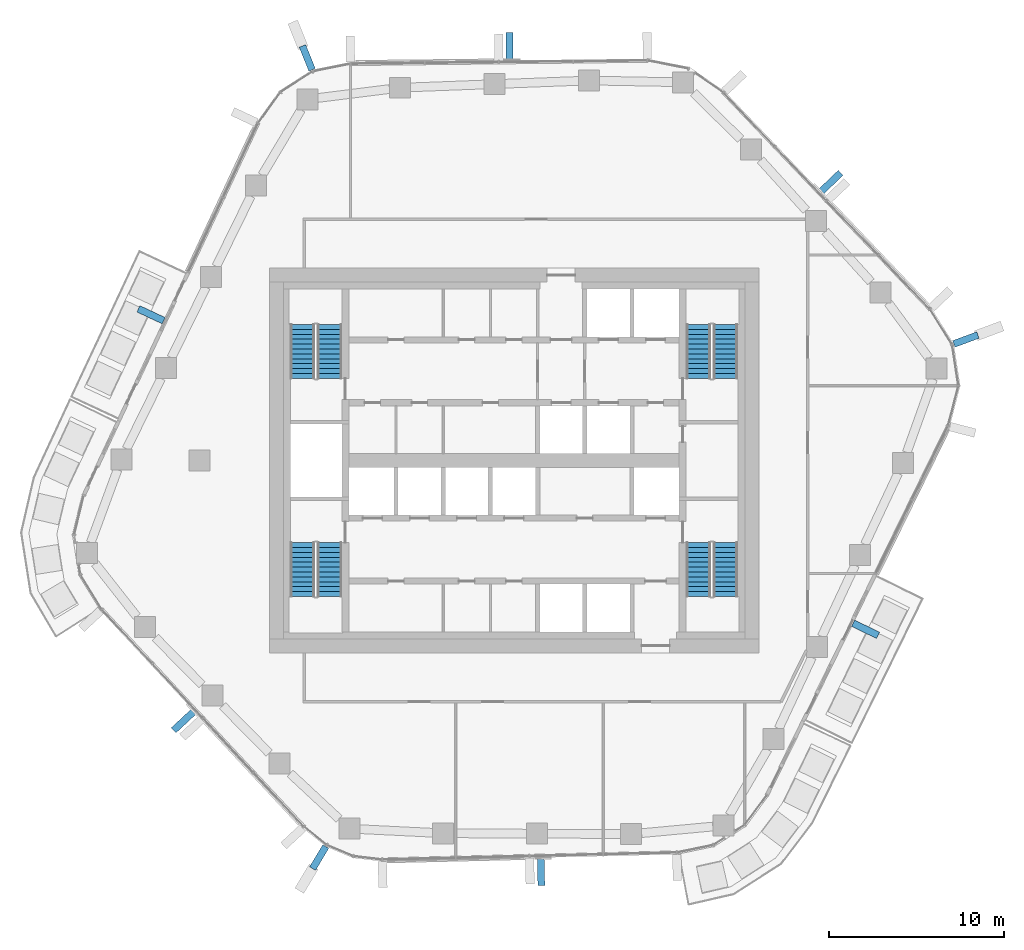
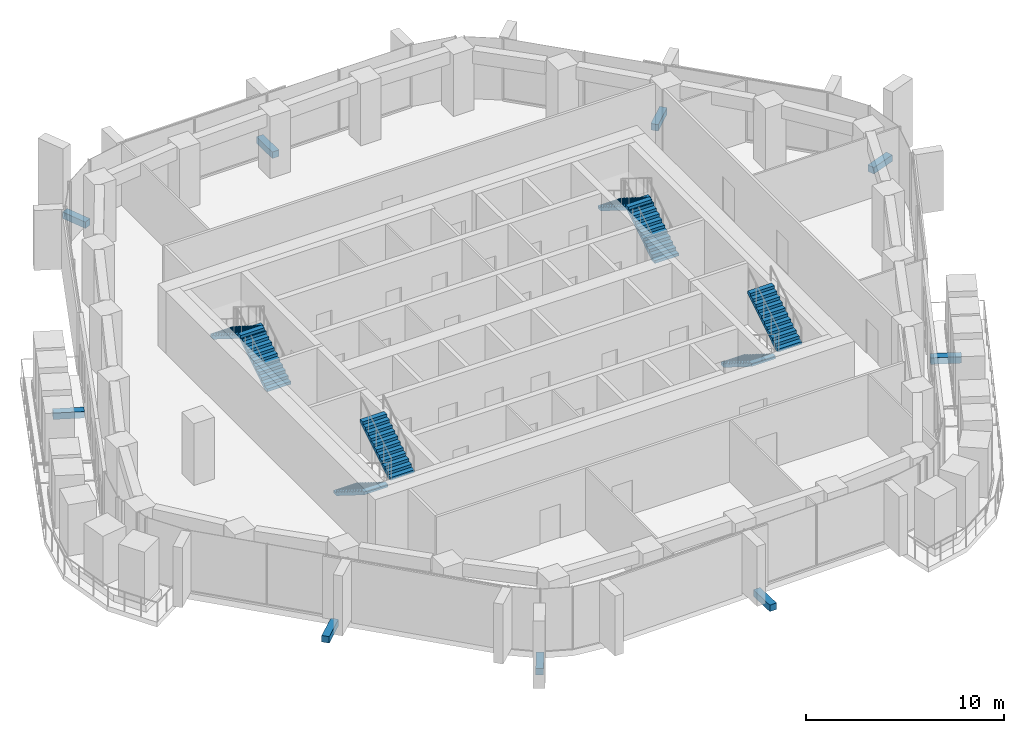
# One storey, part 13 of 17: 9 discrete accessories, 8 stair flights, 4 elements without a shape of their own.
"""IFC4 building model written with IfcOpenShell, lengths in metres."""

import ifcopenshell
import ifcopenshell.guid

model = None  # the IFC model being written
_history = None  # IfcOwnerHistory: only IFC2X3 demands one
_inside = {}  # id of a spatial element -> (the spatial element, [elements in it])
_under = {}  # id of a project, library or spatial element -> (it, [spatial elements below it])
_declared = {}  # id of a project -> (the project, [libraries it declares])
_typed = {}  # id of a type object -> (the type object, [elements of that type])
_made_of = {}  # id of a material, layer set ... -> (it, [elements and type objects made of it])


def new_model(schema):
    """Start an empty IFC model of exactly this schema.

    Asked for "IFC4X3", IfcOpenShell would pick the latest addendum, in which some entities
    have other attributes; the version numbers below select the first issue.
    IFC2X3 requires an IfcOwnerHistory on every rooted entity: one is made here for all.
    """
    global model, _history
    if schema == "IFC4X3":
        model = ifcopenshell.file(schema_version=(4, 3, 0, 0))
    else:
        model = ifcopenshell.file(schema=schema)
    _inside.clear()
    _under.clear()
    _declared.clear()
    _typed.clear()
    _made_of.clear()
    _history = None
    if model.schema == "IFC2X3":
        org = make("IfcOrganization", Name="unknown")
        user = make(
            "IfcPersonAndOrganization",
            ThePerson=make("IfcPerson", FamilyName="unknown"),
            TheOrganization=org,
        )
        app = make(
            "IfcApplication",
            ApplicationDeveloper=org,
            Version="unknown",
            ApplicationFullName="unknown",
            ApplicationIdentifier="unknown",
        )
        _history = make(
            "IfcOwnerHistory",
            OwningUser=user,
            OwningApplication=app,
            ChangeAction="ADDED",
            CreationDate=0,
        )
    return model


def make(cls, **values):
    """One entity of the class cls with the attributes given. An attribute that is None is left unset."""
    return model.create_entity(
        cls, **{name: value for name, value in values.items() if value is not None}
    )


def rooted(cls, **values):
    """An entity with a GlobalId (a new one), such as an element, a storey or a relation."""
    return make(cls, GlobalId=ifcopenshell.guid.new(), OwnerHistory=_history, **values)


def si_unit(unit_type, name, prefix=None):
    """IfcSIUnit, for example si_unit("LENGTHUNIT", "METRE", prefix="MILLI")."""
    return make("IfcSIUnit", UnitType=unit_type, Prefix=prefix, Name=name)


def assignment(units):
    """IfcUnitAssignment: the units of a project."""
    return None if units is None else make("IfcUnitAssignment", Units=units)


def point(xyz):
    """IfcCartesianPoint."""
    return None if xyz is None else make("IfcCartesianPoint", Coordinates=xyz)


def direction(xyz):
    """IfcDirection."""
    return None if xyz is None else make("IfcDirection", DirectionRatios=xyz)


def frame(location, z_axis=None, x_axis=None):
    """IfcAxis2Placement3D, a coordinate frame: its origin and axes. An axis left out is left unset."""
    return make(
        "IfcAxis2Placement3D",
        Location=point(location),
        Axis=direction(z_axis),
        RefDirection=direction(x_axis),
    )


def frame_2d(location, x_axis=None):
    """IfcAxis2Placement2D, a coordinate frame in the plane: its origin and x axis."""
    return make(
        "IfcAxis2Placement2D", Location=point(location), RefDirection=direction(x_axis)
    )


def origin():
    """The frame at (0, 0, 0) with its axes left unset."""
    return frame((0.0, 0.0, 0.0))


def origin_2d():
    """The frame at (0, 0) in the plane with its x axis left unset."""
    return frame_2d((0.0, 0.0))


def place(relative_to, where):
    """IfcLocalPlacement: puts the frame where relative to a parent placement (None: the world)."""
    return make(
        "IfcLocalPlacement", PlacementRelTo=relative_to, RelativePlacement=where
    )


def context(
    kind, dimensions, precision=None, world=None, true_north=None, identifier=None
):
    """IfcGeometricRepresentationContext, for example the 3D "Model" context."""
    return make(
        "IfcGeometricRepresentationContext",
        ContextIdentifier=identifier,
        ContextType=kind,
        CoordinateSpaceDimension=dimensions,
        Precision=precision,
        WorldCoordinateSystem=world,
        TrueNorth=true_north,
    )


def subcontext(parent, identifier, kind, view, scale=None):
    """IfcGeometricRepresentationSubContext, for example "Body" below "Model"."""
    return make(
        "IfcGeometricRepresentationSubContext",
        ContextIdentifier=identifier,
        ContextType=kind,
        ParentContext=parent,
        TargetScale=scale,
        TargetView=view,
    )


def project(units=None, contexts=None):
    """IfcProject with its units and contexts."""
    return rooted(
        "IfcProject",
        Name="project",
        RepresentationContexts=contexts,
        UnitsInContext=assignment(units),
    )


def spatial(cls, under=None, at=None, **own):
    """A site, building, storey or space (cls), placed at a placement, below another one or the project."""
    s = rooted(cls, ObjectPlacement=at, **own)
    if under is not None:
        _under.setdefault(under.id(), (under, []))[1].append(s)
    return s


def polyline(points):
    """IfcPolyline through the points."""
    return make("IfcPolyline", Points=[point(p) for p in points])


def profile(cls, at=None, kind="AREA", **sizes):
    """A parametric profile (cls). Its sizes go by their IFC names, for example OverallWidth=200.0."""
    return make(cls, ProfileType=kind, Position=at, **sizes)


def rectangle(**sizes):
    """IfcRectangleProfileDef."""
    return profile("IfcRectangleProfileDef", **sizes)


def outline(outer, holes=None, kind="AREA"):
    """IfcArbitraryClosedProfileDef: a profile drawn as a closed curve; with holes, ...WithVoids."""
    if holes is None:
        return make("IfcArbitraryClosedProfileDef", ProfileType=kind, OuterCurve=outer)
    return make(
        "IfcArbitraryProfileDefWithVoids",
        ProfileType=kind,
        OuterCurve=outer,
        InnerCurves=holes,
    )


def extrude(swept, where, along, depth):
    """IfcExtrudedAreaSolid: the profile swept, set in the frame where, extruded along a direction by depth."""
    return make(
        "IfcExtrudedAreaSolid",
        SweptArea=swept,
        Position=where,
        ExtrudedDirection=direction(along),
        Depth=depth,
    )


def shape(context_of_items, identifier, shape_type, items):
    """IfcShapeRepresentation: the items that make up one representation, for example the "Body"."""
    return make(
        "IfcShapeRepresentation",
        ContextOfItems=context_of_items,
        RepresentationIdentifier=identifier,
        RepresentationType=shape_type,
        Items=items,
    )


def material(Name=None, Category=None):
    """IfcMaterial."""
    return make("IfcMaterial", Name=Name, Category=Category)


def layer(
    of_material, thickness, ventilated=None, Name=None, Category=None, Priority=None
):
    """IfcMaterialLayer: one layer of a wall or slab, of a material (None: an air gap)."""
    return make(
        "IfcMaterialLayer",
        Material=of_material,
        LayerThickness=thickness,
        IsVentilated=ventilated,
        Name=Name,
        Category=Category,
        Priority=Priority,
    )


def layer_set(layers, Name=None):
    """IfcMaterialLayerSet."""
    return make("IfcMaterialLayerSet", MaterialLayers=layers, LayerSetName=Name)


def made_of(thing, what):
    """Note that an element or type object is made of a material, layer set ...; save() writes the relation."""
    if what is not None:
        _made_of.setdefault(what.id(), (what, []))[1].append(thing)
    return thing


def type_object(cls, material=None, **own):
    """A type object (cls), such as IfcWallType, which elements share."""
    return made_of(rooted(cls, **own), material)


def element(
    cls,
    number,
    at=None,
    inside=None,
    cuts=None,
    type_object=None,
    material=None,
    context=None,
    identifier="Body",
    shape_type=None,
    held_by="IfcProductDefinitionShape",
    body=None,
    shapes=None,
    **own,
):
    """One element of the class cls, such as IfcWall. Its Tag is "e" and its number.

    at: its placement. inside: the storey or other place that contains it. cuts: it is an
    opening in that element (IfcRelVoidsElement). A single representation is given by context,
    identifier, shape_type and body (its items); several are given by shapes. held_by: the class
    of the entity that holds the representations. save() writes the other relations.
    """
    e = rooted(cls, Tag="e%d" % number, ObjectPlacement=at, **own)
    if body is not None:
        shapes = [shape(context, identifier, shape_type, body)]
    if shapes is not None:
        e.Representation = make(held_by, Representations=shapes)
    if inside is not None:
        _inside.setdefault(inside.id(), (inside, []))[1].append(e)
    if cuts is not None:
        rooted(
            "IfcRelVoidsElement", RelatingBuildingElement=cuts, RelatedOpeningElement=e
        )
    if type_object is not None:
        _typed.setdefault(type_object.id(), (type_object, []))[1].append(e)
    return made_of(e, material)


def aggregate(whole, parts):
    """IfcRelAggregates: a whole, such as a stair, and the parts it consists of."""
    return rooted("IfcRelAggregates", RelatingObject=whole, RelatedObjects=parts)


def save(model, path):
    """Write the relations noted so far, then the file.

    IfcRelAggregates (storeys below a building ...), IfcRelContainedInSpatialStructure (elements
    in a storey), IfcRelDefinesByType, IfcRelAssociatesMaterial and IfcRelDeclares: one each for
    every whole, place, type object, material and project.
    """
    for whole, parts in _under.values():
        aggregate(whole, parts)
    for where, things in _inside.values():
        rooted(
            "IfcRelContainedInSpatialStructure",
            RelatedElements=things,
            RelatingStructure=where,
        )
    for kind, things in _typed.values():
        rooted("IfcRelDefinesByType", RelatedObjects=things, RelatingType=kind)
    for what, things in _made_of.values():
        rooted("IfcRelAssociatesMaterial", RelatedObjects=things, RelatingMaterial=what)
    for by, libraries in _declared.values():
        rooted("IfcRelDeclares", RelatingContext=by, RelatedDefinitions=libraries)
    model.write(path)


model = new_model("IFC4")

# Units and contexts
model_context = context("Model", 3, precision=1e-05, world=origin(), true_north=direction((0.0, 1.0)))
body_context = subcontext(model_context, "Body", "Model", "MODEL_VIEW")
ifc_project = project(units=[si_unit("LENGTHUNIT", "METRE"), si_unit("AREAUNIT", "SQUARE_METRE"), si_unit("VOLUMEUNIT", "CUBIC_METRE"), si_unit("PLANEANGLEUNIT", "RADIAN"), si_unit("MASSUNIT", "GRAM", prefix="KILO")], contexts=[model_context])

# Site, building, storey
site_placement = place(None, origin())
site = spatial("IfcSite", under=ifc_project, at=site_placement, CompositionType="ELEMENT")
building_placement = place(site_placement, origin())
building = spatial("IfcBuilding", under=site, at=building_placement, Name="Dongbaek Canopy Tower", CompositionType="ELEMENT")
storey_placement = place(building_placement, frame((0.0, 0.0, 211.39990234375)))
storey = spatial("IfcBuildingStorey", under=building, at=storey_placement, Name="L44", CompositionType="ELEMENT", Elevation=211.39990234375)

# Stair, stair flights
ifc_material_1 = material(Name="Concrete C40/50", Category="concrete")
stair_type = type_object("IfcStairType", Name="Core exit stair", PredefinedType="HALF_TURN_STAIR", material=ifc_material_1)
stair_1_placement = place(storey_placement, origin())
stair_1 = element("IfcStair", 1, at=stair_1_placement, inside=storey, type_object=stair_type, Name="L44 exit stair A", PredefinedType="HALF_TURN_STAIR")
ifc_material_2 = material(Name="Concrete C40/50", Category="concrete")
ifc_layer = layer(ifc_material_2, 0.14990234375)
ifc_layer_set = layer_set([ifc_layer], Name="Core stair flight 150 waist")
stair_flight_type = type_object("IfcStairFlightType", Name="Core stair flight 150 waist", PredefinedType="STRAIGHT", material=ifc_layer_set)
stair_flight_1_placement = place(storey_placement, frame((12.10009765625, 4.699951171875, 0.0), z_axis=(0.0, 0.0, 1.0), x_axis=(0.0, 1.0, 0.0)))
stair_flight_1 = element("IfcStairFlight", 2, at=stair_flight_1_placement, type_object=stair_flight_type, Name="ST-A flight 1", NumberOfRisers=12, NumberOfTreads=11, PredefinedType="STRAIGHT", RiserHeight=0.175, TreadLength=0.28, context=body_context, shape_type="SweptSolid", body=[
    extrude(outline(polyline([(0.0, 0.0), (0.0, 0.175048828125), (0.280029296875, 0.175048828125), (0.280029296875, 0.35009765625), (0.56005859375, 0.35009765625), (0.56005859375, 0.52490234375), (0.840087890625, 0.52490234375), (0.840087890625, 0.699951171875), (1.1201171875, 0.699951171875), (1.1201171875, 0.875), (1.39990234375, 0.875), (1.39990234375, 1.050048828125), (1.679931640625, 1.050048828125), (1.679931640625, 1.22509765625), (1.9599609375, 1.22509765625), (1.9599609375, 1.39990234375), (2.239990234375, 1.39990234375), (2.239990234375, 1.574951171875), (2.52001953125, 1.574951171875), (2.52001953125, 1.75), (2.800048828125, 1.75), (2.800048828125, 1.925048828125), (3.080078125, 1.925048828125), (3.080078125, 2.10009765625), (3.080078125, 1.748291015625), (0.28271484375, 0.0), (0.0, 0.0)])), frame((0.0, 0.699951171875, 0.0), z_axis=(0.0, -1.0, 0.0), x_axis=(1.0, 0.0, 0.0)), (0.0, 0.0, 1.0), 1.39990234375),
])
stair_flight_2_placement = place(storey_placement, frame((10.550048828125, 7.780029296875, 2.10009765625), z_axis=(0.0, 0.0, 1.0), x_axis=(0.0, -1.0, 0.0)))
stair_flight_2 = element("IfcStairFlight", 3, at=stair_flight_2_placement, type_object=stair_flight_type, Name="ST-A flight 2", NumberOfRisers=12, NumberOfTreads=11, PredefinedType="STRAIGHT", RiserHeight=0.175, TreadLength=0.28, context=body_context, shape_type="SweptSolid", body=[
    extrude(outline(polyline([(0.0, 0.0), (0.0, 0.175048828125), (0.280029296875, 0.175048828125), (0.280029296875, 0.35009765625), (0.56005859375, 0.35009765625), (0.56005859375, 0.52490234375), (0.840087890625, 0.52490234375), (0.840087890625, 0.699951171875), (1.1201171875, 0.699951171875), (1.1201171875, 0.875), (1.39990234375, 0.875), (1.39990234375, 1.050048828125), (1.679931640625, 1.050048828125), (1.679931640625, 1.22509765625), (1.9599609375, 1.22509765625), (1.9599609375, 1.39990234375), (2.239990234375, 1.39990234375), (2.239990234375, 1.574951171875), (2.52001953125, 1.574951171875), (2.52001953125, 1.75), (2.800048828125, 1.75), (2.800048828125, 1.925048828125), (3.080078125, 1.925048828125), (3.080078125, 2.10009765625), (3.080078125, 1.748291015625), (0.28271484375, 0.0), (0.0, 0.0)])), frame((0.0, 0.699951171875, 0.0), z_axis=(0.0, -1.0, 0.0), x_axis=(1.0, 0.0, 0.0)), (0.0, 0.0, 1.0), 1.39990234375),
])
aggregate(stair_1, [stair_flight_1, stair_flight_2])

stair_2_placement = place(storey_placement, origin())
stair_2 = element("IfcStair", 4, at=stair_2_placement, inside=storey, type_object=stair_type, Name="L44 exit stair C", PredefinedType="HALF_TURN_STAIR")
stair_flight_3_placement = place(storey_placement, frame((-10.550048828125, 4.699951171875, 0.0), z_axis=(0.0, 0.0, 1.0), x_axis=(0.0, 1.0, 0.0)))
stair_flight_3 = element("IfcStairFlight", 5, at=stair_flight_3_placement, type_object=stair_flight_type, Name="ST-C flight 1", NumberOfRisers=12, NumberOfTreads=11, PredefinedType="STRAIGHT", RiserHeight=0.175, TreadLength=0.28, context=body_context, shape_type="SweptSolid", body=[
    extrude(outline(polyline([(0.0, 0.0), (0.0, 0.175048828125), (0.280029296875, 0.175048828125), (0.280029296875, 0.35009765625), (0.56005859375, 0.35009765625), (0.56005859375, 0.52490234375), (0.840087890625, 0.52490234375), (0.840087890625, 0.699951171875), (1.1201171875, 0.699951171875), (1.1201171875, 0.875), (1.39990234375, 0.875), (1.39990234375, 1.050048828125), (1.679931640625, 1.050048828125), (1.679931640625, 1.22509765625), (1.9599609375, 1.22509765625), (1.9599609375, 1.39990234375), (2.239990234375, 1.39990234375), (2.239990234375, 1.574951171875), (2.52001953125, 1.574951171875), (2.52001953125, 1.75), (2.800048828125, 1.75), (2.800048828125, 1.925048828125), (3.080078125, 1.925048828125), (3.080078125, 2.10009765625), (3.080078125, 1.748291015625), (0.28271484375, 0.0), (0.0, 0.0)])), frame((0.0, 0.699951171875, 0.0), z_axis=(0.0, -1.0, 0.0), x_axis=(1.0, 0.0, 0.0)), (0.0, 0.0, 1.0), 1.39990234375),
])
stair_flight_4_placement = place(storey_placement, frame((-12.10009765625, 7.780029296875, 2.10009765625), z_axis=(0.0, 0.0, 1.0), x_axis=(0.0, -1.0, 0.0)))
stair_flight_4 = element("IfcStairFlight", 6, at=stair_flight_4_placement, type_object=stair_flight_type, Name="ST-C flight 2", NumberOfRisers=12, NumberOfTreads=11, PredefinedType="STRAIGHT", RiserHeight=0.175, TreadLength=0.28, context=body_context, shape_type="SweptSolid", body=[
    extrude(outline(polyline([(0.0, 0.0), (0.0, 0.175048828125), (0.280029296875, 0.175048828125), (0.280029296875, 0.35009765625), (0.56005859375, 0.35009765625), (0.56005859375, 0.52490234375), (0.840087890625, 0.52490234375), (0.840087890625, 0.699951171875), (1.1201171875, 0.699951171875), (1.1201171875, 0.875), (1.39990234375, 0.875), (1.39990234375, 1.050048828125), (1.679931640625, 1.050048828125), (1.679931640625, 1.22509765625), (1.9599609375, 1.22509765625), (1.9599609375, 1.39990234375), (2.239990234375, 1.39990234375), (2.239990234375, 1.574951171875), (2.52001953125, 1.574951171875), (2.52001953125, 1.75), (2.800048828125, 1.75), (2.800048828125, 1.925048828125), (3.080078125, 1.925048828125), (3.080078125, 2.10009765625), (3.080078125, 1.748291015625), (0.28271484375, 0.0), (0.0, 0.0)])), frame((0.0, 0.699951171875, 0.0), z_axis=(0.0, -1.0, 0.0), x_axis=(1.0, 0.0, 0.0)), (0.0, 0.0, 1.0), 1.39990234375),
])
aggregate(stair_2, [stair_flight_3, stair_flight_4])

stair_3_placement = place(storey_placement, origin())
stair_3 = element("IfcStair", 7, at=stair_3_placement, inside=storey, type_object=stair_type, Name="L44 exit stair B", PredefinedType="HALF_TURN_STAIR")
stair_flight_5_placement = place(storey_placement, frame((10.550048828125, -4.699951171875, 0.0), z_axis=(0.0, 0.0, 1.0), x_axis=(0.0, -1.0, 0.0)))
stair_flight_5 = element("IfcStairFlight", 8, at=stair_flight_5_placement, type_object=stair_flight_type, Name="ST-B flight 1", NumberOfRisers=12, NumberOfTreads=11, PredefinedType="STRAIGHT", RiserHeight=0.175, TreadLength=0.28, context=body_context, shape_type="SweptSolid", body=[
    extrude(outline(polyline([(0.0, 0.0), (0.0, 0.175048828125), (0.280029296875, 0.175048828125), (0.280029296875, 0.35009765625), (0.56005859375, 0.35009765625), (0.56005859375, 0.52490234375), (0.840087890625, 0.52490234375), (0.840087890625, 0.699951171875), (1.1201171875, 0.699951171875), (1.1201171875, 0.875), (1.39990234375, 0.875), (1.39990234375, 1.050048828125), (1.679931640625, 1.050048828125), (1.679931640625, 1.22509765625), (1.9599609375, 1.22509765625), (1.9599609375, 1.39990234375), (2.239990234375, 1.39990234375), (2.239990234375, 1.574951171875), (2.52001953125, 1.574951171875), (2.52001953125, 1.75), (2.800048828125, 1.75), (2.800048828125, 1.925048828125), (3.080078125, 1.925048828125), (3.080078125, 2.10009765625), (3.080078125, 1.748291015625), (0.28271484375, 0.0), (0.0, 0.0)])), frame((0.0, 0.699951171875, 0.0), z_axis=(0.0, -1.0, 0.0), x_axis=(1.0, 0.0, 0.0)), (0.0, 0.0, 1.0), 1.39990234375),
])
stair_flight_6_placement = place(storey_placement, frame((12.10009765625, -7.780029296875, 2.10009765625), z_axis=(0.0, 0.0, 1.0), x_axis=(0.0, 1.0, 0.0)))
stair_flight_6 = element("IfcStairFlight", 9, at=stair_flight_6_placement, type_object=stair_flight_type, Name="ST-B flight 2", NumberOfRisers=12, NumberOfTreads=11, PredefinedType="STRAIGHT", RiserHeight=0.175, TreadLength=0.28, context=body_context, shape_type="SweptSolid", body=[
    extrude(outline(polyline([(0.0, 0.0), (0.0, 0.175048828125), (0.280029296875, 0.175048828125), (0.280029296875, 0.35009765625), (0.56005859375, 0.35009765625), (0.56005859375, 0.52490234375), (0.840087890625, 0.52490234375), (0.840087890625, 0.699951171875), (1.1201171875, 0.699951171875), (1.1201171875, 0.875), (1.39990234375, 0.875), (1.39990234375, 1.050048828125), (1.679931640625, 1.050048828125), (1.679931640625, 1.22509765625), (1.9599609375, 1.22509765625), (1.9599609375, 1.39990234375), (2.239990234375, 1.39990234375), (2.239990234375, 1.574951171875), (2.52001953125, 1.574951171875), (2.52001953125, 1.75), (2.800048828125, 1.75), (2.800048828125, 1.925048828125), (3.080078125, 1.925048828125), (3.080078125, 2.10009765625), (3.080078125, 1.748291015625), (0.28271484375, 0.0), (0.0, 0.0)])), frame((0.0, 0.699951171875, 0.0), z_axis=(0.0, -1.0, 0.0), x_axis=(1.0, 0.0, 0.0)), (0.0, 0.0, 1.0), 1.39990234375),
])
aggregate(stair_3, [stair_flight_5, stair_flight_6])

stair_4_placement = place(storey_placement, origin())
stair_4 = element("IfcStair", 10, at=stair_4_placement, inside=storey, type_object=stair_type, Name="L44 exit stair D", PredefinedType="HALF_TURN_STAIR")
stair_flight_7_placement = place(storey_placement, frame((-12.10009765625, -4.699951171875, 0.0), z_axis=(0.0, 0.0, 1.0), x_axis=(0.0, -1.0, 0.0)))
stair_flight_7 = element("IfcStairFlight", 11, at=stair_flight_7_placement, type_object=stair_flight_type, Name="ST-D flight 1", NumberOfRisers=12, NumberOfTreads=11, PredefinedType="STRAIGHT", RiserHeight=0.175, TreadLength=0.28, context=body_context, shape_type="SweptSolid", body=[
    extrude(outline(polyline([(0.0, 0.0), (0.0, 0.175048828125), (0.280029296875, 0.175048828125), (0.280029296875, 0.35009765625), (0.56005859375, 0.35009765625), (0.56005859375, 0.52490234375), (0.840087890625, 0.52490234375), (0.840087890625, 0.699951171875), (1.1201171875, 0.699951171875), (1.1201171875, 0.875), (1.39990234375, 0.875), (1.39990234375, 1.050048828125), (1.679931640625, 1.050048828125), (1.679931640625, 1.22509765625), (1.9599609375, 1.22509765625), (1.9599609375, 1.39990234375), (2.239990234375, 1.39990234375), (2.239990234375, 1.574951171875), (2.52001953125, 1.574951171875), (2.52001953125, 1.75), (2.800048828125, 1.75), (2.800048828125, 1.925048828125), (3.080078125, 1.925048828125), (3.080078125, 2.10009765625), (3.080078125, 1.748291015625), (0.28271484375, 0.0), (0.0, 0.0)])), frame((0.0, 0.699951171875, 0.0), z_axis=(0.0, -1.0, 0.0), x_axis=(1.0, 0.0, 0.0)), (0.0, 0.0, 1.0), 1.39990234375),
])
stair_flight_8_placement = place(storey_placement, frame((-10.550048828125, -7.780029296875, 2.10009765625), z_axis=(0.0, 0.0, 1.0), x_axis=(0.0, 1.0, 0.0)))
stair_flight_8 = element("IfcStairFlight", 12, at=stair_flight_8_placement, type_object=stair_flight_type, Name="ST-D flight 2", NumberOfRisers=12, NumberOfTreads=11, PredefinedType="STRAIGHT", RiserHeight=0.175, TreadLength=0.28, context=body_context, shape_type="SweptSolid", body=[
    extrude(outline(polyline([(0.0, 0.0), (0.0, 0.175048828125), (0.280029296875, 0.175048828125), (0.280029296875, 0.35009765625), (0.56005859375, 0.35009765625), (0.56005859375, 0.52490234375), (0.840087890625, 0.52490234375), (0.840087890625, 0.699951171875), (1.1201171875, 0.699951171875), (1.1201171875, 0.875), (1.39990234375, 0.875), (1.39990234375, 1.050048828125), (1.679931640625, 1.050048828125), (1.679931640625, 1.22509765625), (1.9599609375, 1.22509765625), (1.9599609375, 1.39990234375), (2.239990234375, 1.39990234375), (2.239990234375, 1.574951171875), (2.52001953125, 1.574951171875), (2.52001953125, 1.75), (2.800048828125, 1.75), (2.800048828125, 1.925048828125), (3.080078125, 1.925048828125), (3.080078125, 2.10009765625), (3.080078125, 1.748291015625), (0.28271484375, 0.0), (0.0, 0.0)])), frame((0.0, 0.699951171875, 0.0), z_axis=(0.0, -1.0, 0.0), x_axis=(1.0, 0.0, 0.0)), (0.0, 0.0, 1.0), 1.39990234375),
])
aggregate(stair_4, [stair_flight_7, stair_flight_8])

# Discrete accessories
ifc_material_3 = material(Name="Galvanised steel S355 bracket", Category="steel")
discrete_accessory_type = type_object("IfcDiscreteAccessoryType", Name="Crease fin bracket BR3 400", PredefinedType="BRACKET", material=ifc_material_3)
discrete_accessory_1_placement = place(storey_placement, frame((20.11572265625, -9.65869140625, -0.389892578125), z_axis=(0.0, 0.0, 1.0), x_axis=(0.897705611245, -0.440595773401, 0.0)))
element("IfcDiscreteAccessory", 13, at=discrete_accessory_1_placement, inside=storey, type_object=discrete_accessory_type, Name="Crease fin bracket L44 F5", PredefinedType="BRACKET", context=body_context, shape_type="SweptSolid", body=[
    extrude(rectangle(XDim=1.586669921875, YDim=0.39990234375, at=origin_2d()), origin(), (0.0, 0.0, 1.0), 0.39990234375),
])
discrete_accessory_2_placement = place(storey_placement, frame((18.114501953125, 15.90771484375, -0.389892578125), z_axis=(0.0, 0.0, 1.0), x_axis=(0.723570983903, 0.690249977366, 0.0)))
element("IfcDiscreteAccessory", 14, at=discrete_accessory_2_placement, inside=storey, type_object=discrete_accessory_type, Name="Crease fin bracket L44 F0", PredefinedType="BRACKET", context=body_context, shape_type="SweptSolid", body=[
    extrude(rectangle(XDim=1.588623046875, YDim=0.39990234375, at=origin_2d()), origin(), (0.0, 0.0, 1.0), 0.39990234375),
])
discrete_accessory_3_placement = place(storey_placement, frame((-0.26220703125, 23.6875, -0.389892578125), z_axis=(0.0, 0.0, 1.0), x_axis=(-0.011084359091, 0.999938566605, 0.0)))
element("IfcDiscreteAccessory", 15, at=discrete_accessory_3_placement, inside=storey, type_object=discrete_accessory_type, Name="Crease fin bracket L44 F1", PredefinedType="BRACKET", context=body_context, shape_type="SweptSolid", body=[
    extrude(rectangle(XDim=1.5927734375, YDim=0.39990234375, at=origin_2d()), origin(), (0.0, 0.0, 1.0), 0.39990234375),
])
discrete_accessory_4_placement = place(storey_placement, frame((-20.764404296875, 8.336181640625, -0.389892578125), z_axis=(0.0, 0.0, 1.0), x_axis=(-0.905579163888, 0.424177295399, 0.0)))
element("IfcDiscreteAccessory", 16, at=discrete_accessory_4_placement, inside=storey, type_object=discrete_accessory_type, Name="Crease fin bracket L44 F2", PredefinedType="BRACKET", context=body_context, shape_type="SweptSolid", body=[
    extrude(rectangle(XDim=1.593505859375, YDim=0.39990234375, at=origin_2d()), origin(), (0.0, 0.0, 1.0), 0.39990234375),
])
discrete_accessory_5_placement = place(storey_placement, frame((-18.88671875, -14.888916015625, -0.389892578125), z_axis=(0.0, 0.0, 1.0), x_axis=(-0.731914091249, -0.681396920327, 0.0)))
element("IfcDiscreteAccessory", 17, at=discrete_accessory_5_placement, inside=storey, type_object=discrete_accessory_type, Name="Crease fin bracket L44 F3", PredefinedType="BRACKET", context=body_context, shape_type="SweptSolid", body=[
    extrude(rectangle(XDim=1.6103515625, YDim=0.39990234375, at=origin_2d()), origin(), (0.0, 0.0, 1.0), 0.39990234375),
])
discrete_accessory_6_placement = place(storey_placement, frame((1.544921875, -23.5185546875, -0.389892578125), z_axis=(0.0, 0.0, 1.0), x_axis=(0.023849408078, -0.999715562415, 0.0)))
element("IfcDiscreteAccessory", 18, at=discrete_accessory_6_placement, inside=storey, type_object=discrete_accessory_type, Name="Crease fin bracket L44 F4", PredefinedType="BRACKET", context=body_context, shape_type="SweptSolid", body=[
    extrude(rectangle(XDim=1.606201171875, YDim=0.39990234375, at=origin_2d()), origin(), (0.0, 0.0, 1.0), 0.39990234375),
])
for number, where, z_axis, x_axis, name in (
    (19, (25.847900390625, 6.921875, -0.389892578125), (0.0, 0.0, 1.0), (0.93736713373, 0.348343015724, 0.0), "Corner fin bracket L44 K0"),
    (20, (-11.828125, 23.03271484375, -0.389892578125), (0.0, 0.0, 1.0), (-0.375532040496, 0.92680941221, 0.0), "Corner fin bracket L44 K2"),
    (21, (-11.144775390625, -22.71240234375, -0.389892578125), (0.0, 0.0, 1.0), (-0.513679025169, -0.857982435194, 0.0), "Corner fin bracket L44 K4"),
):
    element("IfcDiscreteAccessory", number, at=place(storey_placement, frame(where, z_axis=z_axis, x_axis=x_axis)), inside=storey, type_object=discrete_accessory_type, Name=name, PredefinedType="BRACKET", context=body_context, shape_type="SweptSolid", body=[
        extrude(rectangle(XDim=1.469970703125, YDim=0.39990234375, at=origin_2d()), origin(), (0.0, 0.0, 1.0), 0.39990234375),
    ])

save(model, "model.ifc")
